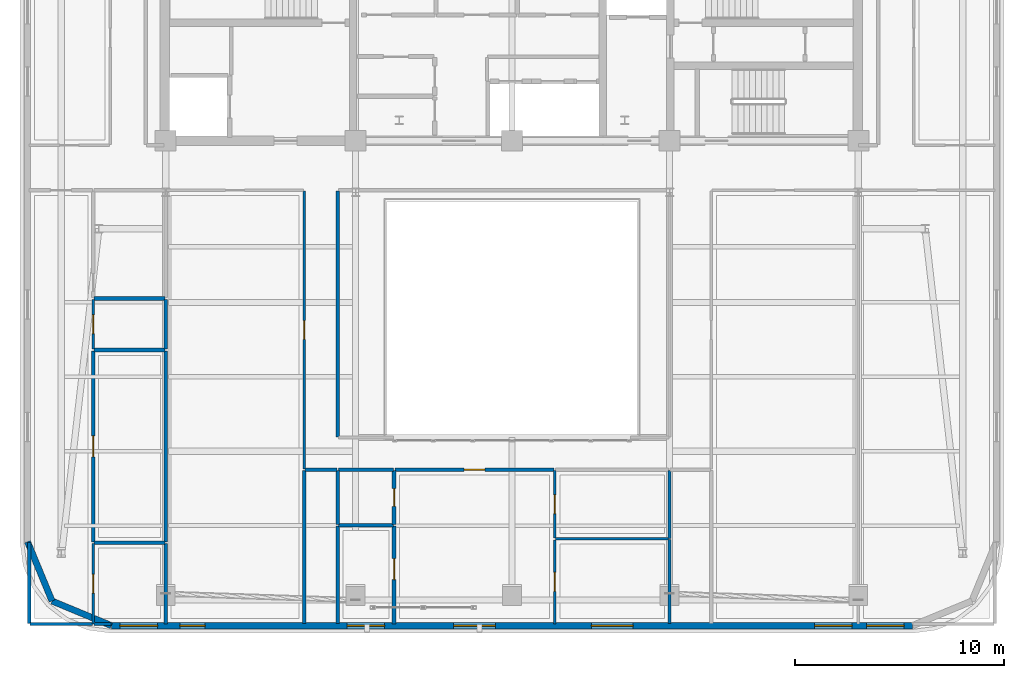
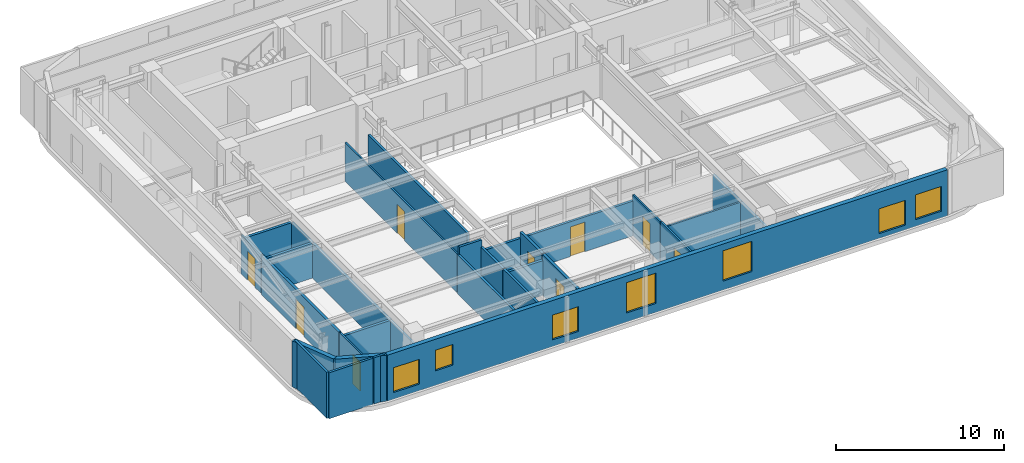
# One storey, part 6 of 14: 31 walls, 9 doors, 7 windows, 16 openings.
"""IFC4 building model written with IfcOpenShell, lengths in metres."""

from ifc_helpers import new_model, si_unit, direction, frame, frame_2d, origin, place, context, subcontext, project, spatial, rectangle, extrude, material, layer, layer_set, type_object, element, fill, save


model = new_model("IFC4")

# Units and contexts
model_context = context("Model", 3, precision=1e-05, world=origin(), true_north=direction((0.0, 1.0)))
body_context = subcontext(model_context, "Body", "Model", "MODEL_VIEW")
ifc_project = project(units=[si_unit("LENGTHUNIT", "METRE"), si_unit("AREAUNIT", "SQUARE_METRE"), si_unit("VOLUMEUNIT", "CUBIC_METRE"), si_unit("PLANEANGLEUNIT", "RADIAN"), si_unit("MASSUNIT", "GRAM", prefix="KILO")], contexts=[model_context])

# Site, building, storey
site_placement = place(None, origin())
site = spatial("IfcSite", under=ifc_project, at=site_placement, CompositionType="ELEMENT")
building_placement = place(site_placement, origin())
building = spatial("IfcBuilding", under=site, at=building_placement, Name="Zarnavel Station Tower", CompositionType="ELEMENT")
storey_placement = place(building_placement, frame((0.0, 0.0, 222.0)))
storey = spatial("IfcBuildingStorey", under=building, at=storey_placement, Name="L60", CompositionType="ELEMENT", Elevation=222.0)

# Walls
ifc_material_1 = material(Name="Precast concrete C45/55 (Dark Basalt Finish)", Category="masonry")
ifc_layer_1 = layer(ifc_material_1, 0.300048828125)
ifc_layer_set_1 = layer_set([ifc_layer_1], Name="EW_BASALT_300")
wall_type_1 = type_object("IfcWallType", Name="EW_BASALT_300", PredefinedType="SOLIDWALL", material=ifc_layer_set_1)
for number, where, z_axis, x_axis, name in (
    (1, (6.75732421875, 5.75732421875, 0.0), (0.0, 0.0, 1.0), (-0.382608747773, 0.923910464346, 0.0), "L60 Exterior Basalt Masonry Frame Wall 10"),
    (2, (9.60009765625, 4.580078125, 0.0), (0.0, 0.0, 1.0), (-0.923910464346, 0.382608747773, 0.0), "L60 Exterior Basalt Masonry Frame Wall 11"),
):
    element("IfcWall", number, at=place(storey_placement, frame(where, z_axis=z_axis, x_axis=x_axis)), inside=storey, type_object=wall_type_1, Name=name, PredefinedType="SOLIDWALL", context=body_context, shape_type="SweptSolid", body=[
        extrude(rectangle(XDim=3.076904296875, YDim=0.300048828125, at=frame_2d((1.53857421875, 0.0))), origin(), (0.0, 0.0, 1.0), 3.340087890625),
    ])

# Wall, openings, windows
wall_1_placement = place(storey_placement, frame((48.0, 4.580078125, 0.0), z_axis=(0.0, 0.0, 1.0), x_axis=(-1.0, 0.0, 0.0)))
wall_1 = element("IfcWall", 3, at=wall_1_placement, inside=storey, type_object=wall_type_1, Name="L60 Exterior Basalt Masonry Frame Wall 12", PredefinedType="SOLIDWALL", context=body_context, shape_type="SweptSolid", body=[
    extrude(rectangle(XDim=38.39990234375, YDim=0.300048828125, at=frame_2d((19.199951171875, 0.0))), origin(), (0.0, 0.0, 1.0), 3.340087890625),
])
opening_1_placement = place(wall_1_placement, frame((36.18994140625, 0.0, 0.47998046875)))
opening_1 = element("IfcOpeningElement", 4, at=opening_1_placement, cuts=wall_1, Name="Opening WN02", PredefinedType="OPENING", context=body_context, shape_type="SweptSolid", body=[
    extrude(rectangle(XDim=1.800048828125, YDim=1.800048828125, at=frame_2d((0.89990234375, 0.89990234375))), frame((0.0, 0.159912109375, 0.0), z_axis=(0.0, -1.0, 0.0), x_axis=(1.0, 0.0, 0.0)), (0.0, 0.0, 1.0), 0.320068359375),
])
opening_2_placement = place(wall_1_placement, frame((33.912109375, 0.0, 1.050048828125)))
opening_2 = element("IfcOpeningElement", 5, at=opening_2_placement, cuts=wall_1, Name="Opening WN08", PredefinedType="OPENING", context=body_context, shape_type="SweptSolid", body=[
    extrude(rectangle(XDim=1.199951171875, YDim=1.5, at=frame_2d((0.60009765625, 0.75))), frame((0.0, 0.159912109375, 0.0), z_axis=(0.0, -1.0, 0.0), x_axis=(1.0, 0.0, 0.0)), (0.0, 0.0, 1.0), 0.320068359375),
])
opening_3_placement = place(wall_1_placement, frame((20.0, 0.0, 0.64990234375)))
opening_3 = element("IfcOpeningElement", 6, at=opening_3_placement, cuts=wall_1, Name="Opening WN07", PredefinedType="OPENING", context=body_context, shape_type="SweptSolid", body=[
    extrude(rectangle(XDim=2.0, YDim=2.199951171875, at=frame_2d((1.0, 1.10009765625))), frame((0.0, 0.159912109375, 0.0), z_axis=(0.0, -1.0, 0.0), x_axis=(1.0, 0.0, 0.0)), (0.0, 0.0, 1.0), 0.320068359375),
])
opening_4_placement = place(wall_1_placement, frame((25.300048828125, 0.0, 0.47998046875)))
opening_4 = element("IfcOpeningElement", 7, at=opening_4_placement, cuts=wall_1, Name="Opening WN02", PredefinedType="OPENING", context=body_context, shape_type="SweptSolid", body=[
    extrude(rectangle(XDim=1.800048828125, YDim=1.800048828125, at=frame_2d((0.89990234375, 0.89990234375))), frame((0.0, 0.159912109375, 0.0), z_axis=(0.0, -1.0, 0.0), x_axis=(1.0, 0.0, 0.0)), (0.0, 0.0, 1.0), 0.320068359375),
])
opening_5_placement = place(wall_1_placement, frame((13.39990234375, 0.0, 0.64990234375)))
opening_5 = element("IfcOpeningElement", 8, at=opening_5_placement, cuts=wall_1, Name="Opening WN07", PredefinedType="OPENING", context=body_context, shape_type="SweptSolid", body=[
    extrude(rectangle(XDim=2.0, YDim=2.199951171875, at=frame_2d((1.0, 1.10009765625))), frame((0.0, 0.159912109375, 0.0), z_axis=(0.0, -1.0, 0.0), x_axis=(1.0, 0.0, 0.0)), (0.0, 0.0, 1.0), 0.320068359375),
])
opening_6_placement = place(wall_1_placement, frame((2.89990234375, 0.0, 0.340087890625)))
opening_6 = element("IfcOpeningElement", 9, at=opening_6_placement, cuts=wall_1, Name="Opening WN02", PredefinedType="OPENING", context=body_context, shape_type="SweptSolid", body=[
    extrude(rectangle(XDim=1.800048828125, YDim=1.800048828125, at=frame_2d((0.89990234375, 0.89990234375))), frame((0.0, 0.159912109375, 0.0), z_axis=(0.0, -1.0, 0.0), x_axis=(1.0, 0.0, 0.0)), (0.0, 0.0, 1.0), 0.320068359375),
])
opening_7_placement = place(wall_1_placement, frame((0.409912109375, 0.0, 0.47998046875)))
opening_7 = element("IfcOpeningElement", 10, at=opening_7_placement, cuts=wall_1, Name="Opening WN02", PredefinedType="OPENING", context=body_context, shape_type="SweptSolid", body=[
    extrude(rectangle(XDim=1.800048828125, YDim=1.800048828125, at=frame_2d((0.89990234375, 0.89990234375))), frame((0.0, 0.159912109375, 0.0), z_axis=(0.0, -1.0, 0.0), x_axis=(1.0, 0.0, 0.0)), (0.0, 0.0, 1.0), 0.320068359375),
])
ifc_material_2 = material(Name="Thermally Broken Black Aluminium and Low-E Dark Glass", Category="aluminium")
window_type_1 = type_object("IfcWindowType", Name="WN_1200x1500", PartitioningType="SINGLE_PANEL", PredefinedType="WINDOW", material=ifc_material_2)
window_1_placement = place(opening_2_placement, origin())
window_1 = element("IfcWindow", 11, at=window_1_placement, inside=storey, type_object=window_type_1, Name="L60 Recessed Facade Window 02", OverallHeight=1.5, OverallWidth=1.199951171875, PartitioningType="SINGLE_PANEL", PredefinedType="WINDOW", context=body_context, shape_type="SweptSolid", body=[
    extrude(rectangle(XDim=1.199951171875, YDim=1.5, at=frame_2d((0.60009765625, 0.75))), frame((0.0, 0.030029296875, 0.0), z_axis=(0.0, -1.0, 0.0), x_axis=(1.0, 0.0, 0.0)), (0.0, 0.0, 1.0), 0.06005859375),
])
fill(opening_2, window_1)
ifc_material_3 = material(Name="Thermally Broken Black Aluminium and Low-E Dark Glass", Category="aluminium")
window_type_2 = type_object("IfcWindowType", Name="WN_1800x1800", PartitioningType="DOUBLE_PANEL_VERTICAL", PredefinedType="WINDOW", material=ifc_material_3)
window_2_placement = place(opening_1_placement, origin())
window_2 = element("IfcWindow", 12, at=window_2_placement, inside=storey, type_object=window_type_2, Name="L60 Recessed Facade Window 01", OverallHeight=1.800048828125, OverallWidth=1.800048828125, PartitioningType="SINGLE_PANEL", PredefinedType="WINDOW", context=body_context, shape_type="SweptSolid", body=[
    extrude(rectangle(XDim=1.800048828125, YDim=1.800048828125, at=frame_2d((0.89990234375, 0.89990234375))), frame((0.0, 0.030029296875, 0.0), z_axis=(0.0, -1.0, 0.0), x_axis=(1.0, 0.0, 0.0)), (0.0, 0.0, 1.0), 0.06005859375),
])
fill(opening_1, window_2)
window_3_placement = place(opening_4_placement, origin())
window_3 = element("IfcWindow", 13, at=window_3_placement, inside=storey, type_object=window_type_2, Name="L60 Recessed Facade Window 04", OverallHeight=1.800048828125, OverallWidth=1.800048828125, PartitioningType="SINGLE_PANEL", PredefinedType="WINDOW", context=body_context, shape_type="SweptSolid", body=[
    extrude(rectangle(XDim=1.800048828125, YDim=1.800048828125, at=frame_2d((0.89990234375, 0.89990234375))), frame((0.0, 0.030029296875, 0.0), z_axis=(0.0, -1.0, 0.0), x_axis=(1.0, 0.0, 0.0)), (0.0, 0.0, 1.0), 0.06005859375),
])
fill(opening_4, window_3)
window_4_placement = place(opening_6_placement, origin())
window_4 = element("IfcWindow", 14, at=window_4_placement, inside=storey, type_object=window_type_2, Name="L60 Recessed Facade Window 06", OverallHeight=1.800048828125, OverallWidth=1.800048828125, PartitioningType="SINGLE_PANEL", PredefinedType="WINDOW", context=body_context, shape_type="SweptSolid", body=[
    extrude(rectangle(XDim=1.800048828125, YDim=1.800048828125, at=frame_2d((0.89990234375, 0.89990234375))), frame((0.0, 0.030029296875, 0.0), z_axis=(0.0, -1.0, 0.0), x_axis=(1.0, 0.0, 0.0)), (0.0, 0.0, 1.0), 0.06005859375),
])
fill(opening_6, window_4)
window_5_placement = place(opening_7_placement, origin())
window_5 = element("IfcWindow", 15, at=window_5_placement, inside=storey, type_object=window_type_2, Name="L60 Recessed Facade Window 07", OverallHeight=1.800048828125, OverallWidth=1.800048828125, PartitioningType="SINGLE_PANEL", PredefinedType="WINDOW", context=body_context, shape_type="SweptSolid", body=[
    extrude(rectangle(XDim=1.800048828125, YDim=1.800048828125, at=frame_2d((0.89990234375, 0.89990234375))), frame((0.0, 0.030029296875, 0.0), z_axis=(0.0, -1.0, 0.0), x_axis=(1.0, 0.0, 0.0)), (0.0, 0.0, 1.0), 0.06005859375),
])
fill(opening_7, window_5)
ifc_material_4 = material(Name="Thermally Broken Black Aluminium and Low-E Dark Glass", Category="aluminium")
window_type_3 = type_object("IfcWindowType", Name="WN_2000x2200", PartitioningType="TRIPLE_PANEL_VERTICAL", PredefinedType="WINDOW", material=ifc_material_4)
window_6_placement = place(opening_3_placement, origin())
window_6 = element("IfcWindow", 16, at=window_6_placement, inside=storey, type_object=window_type_3, Name="L60 Recessed Facade Window 03", OverallHeight=2.199951171875, OverallWidth=2.0, PartitioningType="SINGLE_PANEL", PredefinedType="WINDOW", context=body_context, shape_type="SweptSolid", body=[
    extrude(rectangle(XDim=2.0, YDim=2.199951171875, at=frame_2d((1.0, 1.10009765625))), frame((0.0, 0.030029296875, 0.0), z_axis=(0.0, -1.0, 0.0), x_axis=(1.0, 0.0, 0.0)), (0.0, 0.0, 1.0), 0.06005859375),
])
fill(opening_3, window_6)
window_7_placement = place(opening_5_placement, origin())
window_7 = element("IfcWindow", 17, at=window_7_placement, inside=storey, type_object=window_type_3, Name="L60 Recessed Facade Window 05", OverallHeight=2.199951171875, OverallWidth=2.0, PartitioningType="SINGLE_PANEL", PredefinedType="WINDOW", context=body_context, shape_type="SweptSolid", body=[
    extrude(rectangle(XDim=2.0, YDim=2.199951171875, at=frame_2d((1.0, 1.10009765625))), frame((0.0, 0.030029296875, 0.0), z_axis=(0.0, -1.0, 0.0), x_axis=(1.0, 0.0, 0.0)), (0.0, 0.0, 1.0), 0.06005859375),
])
fill(opening_5, window_7)

# Wall, opening, door
ifc_material_5 = material(Name="Gypsum Twin-Stud Acoustic Fire Partition", Category="concrete")
ifc_layer_2 = layer(ifc_material_5, 0.159912109375)
ifc_layer_set_2 = layer_set([ifc_layer_2], Name="PT_DEMISE_160")
wall_type_2 = type_object("IfcWallType", Name="PT_DEMISE_160", PredefinedType="PARTITIONING", material=ifc_layer_set_2)
wall_2_placement = place(storey_placement, frame((23.18994140625, 12.050048828125, 0.0), z_axis=(0.0, 0.0, 1.0), x_axis=(1.0, 0.0, 0.0)))
wall_2 = element("IfcWall", 18, at=wall_2_placement, inside=storey, type_object=wall_type_2, Name="L60 Partition COR-AS-US1LV", PredefinedType="PARTITIONING", context=body_context, shape_type="SweptSolid", body=[
    extrude(rectangle(XDim=7.6201171875, YDim=0.159912109375, at=frame_2d((3.81005859375, 0.0))), origin(), (0.0, 0.0, 1.0), 2.52001953125),
])
opening_8_placement = place(wall_2_placement, frame((3.31005859375, 0.0, 0.0)))
opening_8 = element("IfcOpeningElement", 19, at=opening_8_placement, cuts=wall_2, Name="Opening FD02", PredefinedType="OPENING", context=body_context, shape_type="SweptSolid", body=[
    extrude(rectangle(XDim=1.0, YDim=2.14990234375, at=frame_2d((0.5, 1.074951171875))), frame((0.0, 0.08984375, 0.0), z_axis=(0.0, -1.0, 0.0), x_axis=(1.0, 0.0, 0.0)), (0.0, 0.0, 1.0), 0.179931640625),
])
ifc_material_6 = material(Name="Painted Galvanised Steel and Hardwood Leaf", Category="steel")
door_type_1 = type_object("IfcDoorType", Name="ID_ENTRY_1000", OperationType="NOTDEFINED", PredefinedType="DOOR", material=ifc_material_6)
door_1_placement = place(opening_8_placement, origin())
door_1 = element("IfcDoor", 20, at=door_1_placement, inside=storey, type_object=door_type_1, Name="L60 Door COR-AS-US1LV", OperationType="SINGLE_SWING_RIGHT", OverallHeight=2.14990234375, OverallWidth=1.0, PredefinedType="DOOR", context=body_context, shape_type="SweptSolid", body=[
    extrude(rectangle(XDim=1.0, YDim=2.14990234375, at=frame_2d((0.5, 1.074951171875))), frame((0.0, 0.02490234375, 0.0), z_axis=(0.0, -1.0, 0.0), x_axis=(1.0, 0.0, 0.0)), (0.0, 0.0, 1.0), 0.050048828125),
])
fill(opening_8, door_1)

# Walls
wall_3_placement = place(storey_placement, frame((12.199951171875, 4.659912109375, 0.0), z_axis=(0.0, 0.0, 1.0), x_axis=(0.0, 1.0, 0.0)))
element("IfcWall", 21, at=wall_3_placement, inside=storey, type_object=wall_type_2, Name="L60 Partition UW1B1-L59LIB", PredefinedType="PARTITIONING", context=body_context, shape_type="SweptSolid", body=[
    extrude(rectangle(XDim=3.85498046875, YDim=0.159912109375, at=frame_2d((1.927490234375, 0.0))), origin(), (0.0, 0.0, 1.0), 2.52001953125),
])
wall_4_placement = place(storey_placement, frame((12.199951171875, 17.827880859375, 0.0), z_axis=(0.0, 0.0, 1.0), x_axis=(0.0, 1.0, 0.0)))
element("IfcWall", 22, at=wall_4_placement, inside=storey, type_object=wall_type_2, Name="L60 Partition UW1UT-L59LIB", PredefinedType="PARTITIONING", context=body_context, shape_type="SweptSolid", body=[
    extrude(rectangle(XDim=2.38916015625, YDim=0.159912109375, at=frame_2d((1.194580078125, 0.0))), origin(), (0.0, 0.0, 1.0), 2.52001953125),
])
wall_5_placement = place(storey_placement, frame((18.8798828125, 12.050048828125, 0.0), z_axis=(0.0, 0.0, 1.0), x_axis=(1.0, 0.0, 0.0)))
element("IfcWall", 23, at=wall_5_placement, inside=storey, type_object=wall_type_2, Name="L60 Enclosure Wall COR-AW", PredefinedType="PARTITIONING", context=body_context, shape_type="SweptSolid", body=[
    extrude(rectangle(XDim=1.5400390625, YDim=0.159912109375, at=frame_2d((0.77001953125, 0.0))), origin(), (0.0, 0.0, 1.0), 3.340087890625),
])
wall_6_placement = place(storey_placement, frame((20.449951171875, 13.6298828125, 0.0), z_axis=(0.0, 0.0, 1.0), x_axis=(0.0, 1.0, 0.0)))
element("IfcWall", 24, at=wall_6_placement, inside=storey, type_object=wall_type_2, Name="L60 Enclosure Wall COR-AW", PredefinedType="PARTITIONING", context=body_context, shape_type="SweptSolid", body=[
    extrude(rectangle(XDim=11.7900390625, YDim=0.159912109375, at=frame_2d((5.89501953125, 0.0))), origin(), (0.0, 0.0, 1.0), 2.820068359375),
])
wall_7_placement = place(storey_placement, frame((5.68994140625, 4.659912109375, 0.0), z_axis=(0.0, 0.0, 1.0), x_axis=(1.0, 0.0, 0.0)))
element("IfcWall", 25, at=wall_7_placement, inside=storey, type_object=wall_type_2, Name="L60 Enclosure Wall UW1LV", PredefinedType="PARTITIONING", context=body_context, shape_type="SweptSolid", body=[
    extrude(rectangle(XDim=3.01416015625, YDim=0.159912109375, at=frame_2d((1.507080078125, 0.0))), origin(), (0.0, 0.0, 1.0), 3.340087890625),
])
wall_8_placement = place(storey_placement, frame((5.659912109375, 4.68994140625, 0.0), z_axis=(0.0, 0.0, 1.0), x_axis=(0.0, 1.0, 0.0)))
element("IfcWall", 26, at=wall_8_placement, inside=storey, type_object=wall_type_2, Name="L60 Enclosure Wall UW1LV", PredefinedType="PARTITIONING", context=body_context, shape_type="SweptSolid", body=[
    extrude(rectangle(XDim=3.880126953125, YDim=0.159912109375, at=frame_2d((1.93994140625, 0.0))), origin(), (0.0, 0.0, 1.0), 3.340087890625),
])
wall_9_placement = place(storey_placement, frame((8.763916015625, 4.659912109375, 0.0), z_axis=(0.0, 0.0, 1.0), x_axis=(1.0, 0.0, 0.0)))
element("IfcWall", 27, at=wall_9_placement, inside=storey, type_object=wall_type_2, Name="L60 Enclosure Wall UW1B1", PredefinedType="PARTITIONING", context=body_context, shape_type="SweptSolid", body=[
    extrude(rectangle(XDim=0.80615234375, YDim=0.159912109375, at=frame_2d((0.403076171875, 0.0))), origin(), (0.0, 0.0, 1.0), 3.340087890625),
])
wall_10_placement = place(storey_placement, frame((18.85009765625, 4.68994140625, 0.0), z_axis=(0.0, 0.0, 1.0), x_axis=(0.0, 1.0, 0.0)))
element("IfcWall", 28, at=wall_10_placement, inside=storey, type_object=wall_type_2, Name="L60 Enclosure Wall L59LIB", PredefinedType="PARTITIONING", context=body_context, shape_type="SweptSolid", body=[
    extrude(rectangle(XDim=7.330078125, YDim=0.159912109375, at=frame_2d((3.6650390625, 0.0))), origin(), (0.0, 0.0, 1.0), 2.820068359375),
])
wall_11_placement = place(storey_placement, frame((20.449951171875, 4.68994140625, 0.0), z_axis=(0.0, 0.0, 1.0), x_axis=(0.0, 1.0, 0.0)))
element("IfcWall", 29, at=wall_11_placement, inside=storey, type_object=wall_type_2, Name="L60 Enclosure Wall US1KT", PredefinedType="PARTITIONING", context=body_context, shape_type="SweptSolid", body=[
    extrude(rectangle(XDim=4.670166015625, YDim=0.159912109375, at=frame_2d((2.3349609375, 0.0))), origin(), (0.0, 0.0, 1.0), 2.820068359375),
])
wall_12_placement = place(storey_placement, frame((20.449951171875, 9.419921875, 0.0), z_axis=(0.0, 0.0, 1.0), x_axis=(0.0, 1.0, 0.0)))
element("IfcWall", 30, at=wall_12_placement, inside=storey, type_object=wall_type_2, Name="L60 Enclosure Wall US1BA", PredefinedType="PARTITIONING", context=body_context, shape_type="SweptSolid", body=[
    extrude(rectangle(XDim=2.60009765625, YDim=0.159912109375, at=frame_2d((1.300048828125, 0.0))), origin(), (0.0, 0.0, 1.0), 2.820068359375),
])
wall_13_placement = place(storey_placement, frame((36.35009765625, 4.68994140625, 0.0), z_axis=(0.0, 0.0, 1.0), x_axis=(0.0, 1.0, 0.0)))
element("IfcWall", 31, at=wall_13_placement, inside=storey, type_object=wall_type_2, Name="L60 Enclosure Wall US1B1", PredefinedType="PARTITIONING", context=body_context, shape_type="SweptSolid", body=[
    extrude(rectangle(XDim=4.01513671875, YDim=0.159912109375, at=frame_2d((2.007568359375, 0.0))), origin(), (0.0, 0.0, 1.0), 2.52001953125),
])
wall_14_placement = place(storey_placement, frame((36.35009765625, 8.764892578125, 0.0), z_axis=(0.0, 0.0, 1.0), x_axis=(0.0, 1.0, 0.0)))
element("IfcWall", 32, at=wall_14_placement, inside=storey, type_object=wall_type_2, Name="L60 Enclosure Wall US1B2", PredefinedType="PARTITIONING", context=body_context, shape_type="SweptSolid", body=[
    extrude(rectangle(XDim=3.255126953125, YDim=0.159912109375, at=frame_2d((1.62744140625, 0.0))), origin(), (0.0, 0.0, 1.0), 2.52001953125),
])

# Wall, opening, door
ifc_material_7 = material(Name="Gypsum Metal-Stud Interior Partition", Category="concrete")
ifc_layer_3 = layer(ifc_material_7, 0.1201171875)
ifc_layer_set_3 = layer_set([ifc_layer_3], Name="PT_ROOM_120")
wall_type_3 = type_object("IfcWallType", Name="PT_ROOM_120", PredefinedType="PARTITIONING", material=ifc_layer_set_3)
wall_15_placement = place(storey_placement, frame((18.85009765625, 12.090087890625, 0.0), z_axis=(0.0, 0.0, 1.0), x_axis=(0.0, 1.0, 0.0)))
wall_15 = element("IfcWall", 33, at=wall_15_placement, inside=storey, type_object=wall_type_3, Name="L60 Partition COR-AW-L59LIB", PredefinedType="PARTITIONING", context=body_context, shape_type="SweptSolid", body=[
    extrude(rectangle(XDim=13.31982421875, YDim=0.1201171875, at=frame_2d((6.659912109375, 0.0))), origin(), (0.0, 0.0, 1.0), 2.820068359375),
])
opening_9_placement = place(wall_15_placement, frame((6.2099609375, 0.0, 0.0)))
opening_9 = element("IfcOpeningElement", 34, at=opening_9_placement, cuts=wall_15, Name="Opening ID01", PredefinedType="OPENING", context=body_context, shape_type="SweptSolid", body=[
    extrude(rectangle(XDim=0.89990234375, YDim=2.10009765625, at=frame_2d((0.449951171875, 1.050048828125))), frame((0.0, 0.070068359375, 0.0), z_axis=(0.0, -1.0, 0.0), x_axis=(1.0, 0.0, 0.0)), (0.0, 0.0, 1.0), 0.14013671875),
])
ifc_material_8 = material(Name="Painted Galvanised Steel and Hardwood Leaf", Category="steel")
door_type_2 = type_object("IfcDoorType", Name="ID_ROOM_900", OperationType="NOTDEFINED", PredefinedType="DOOR", material=ifc_material_8)
door_2_placement = place(opening_9_placement, origin())
door_2 = element("IfcDoor", 35, at=door_2_placement, inside=storey, type_object=door_type_2, Name="L60 Door COR-AW-L59LIB", OperationType="SINGLE_SWING_RIGHT", OverallHeight=2.10009765625, OverallWidth=0.89990234375, PredefinedType="DOOR", context=body_context, shape_type="SweptSolid", body=[
    extrude(rectangle(XDim=0.89990234375, YDim=2.10009765625, at=frame_2d((0.449951171875, 1.050048828125))), frame((0.0, 0.02490234375, 0.0), z_axis=(0.0, -1.0, 0.0), x_axis=(1.0, 0.0, 0.0)), (0.0, 0.0, 1.0), 0.050048828125),
])
fill(opening_9, door_2)

wall_16_placement = place(storey_placement, frame((8.73388671875, 4.659912109375, 0.0), z_axis=(0.0, 0.0, 1.0), x_axis=(0.0, 1.0, 0.0)))
wall_16 = element("IfcWall", 36, at=wall_16_placement, inside=storey, type_object=wall_type_3, Name="L60 Partition UW1LV-UW1B1", PredefinedType="PARTITIONING", context=body_context, shape_type="SweptSolid", body=[
    extrude(rectangle(XDim=3.85498046875, YDim=0.1201171875, at=frame_2d((1.927490234375, 0.0))), origin(), (0.0, 0.0, 1.0), 2.820068359375),
])
opening_10_placement = place(wall_16_placement, frame((1.4775390625, 0.0, 0.0)))
opening_10 = element("IfcOpeningElement", 37, at=opening_10_placement, cuts=wall_16, Name="Opening ID01", PredefinedType="OPENING", context=body_context, shape_type="SweptSolid", body=[
    extrude(rectangle(XDim=0.89990234375, YDim=2.10009765625, at=frame_2d((0.449951171875, 1.050048828125))), frame((0.0, 0.070068359375, 0.0), z_axis=(0.0, -1.0, 0.0), x_axis=(1.0, 0.0, 0.0)), (0.0, 0.0, 1.0), 0.14013671875),
])
door_3_placement = place(opening_10_placement, origin())
door_3 = element("IfcDoor", 38, at=door_3_placement, inside=storey, type_object=door_type_2, Name="L60 Door UW1LV-UW1B1", OperationType="SINGLE_SWING_RIGHT", OverallHeight=2.10009765625, OverallWidth=0.89990234375, PredefinedType="DOOR", context=body_context, shape_type="SweptSolid", body=[
    extrude(rectangle(XDim=0.89990234375, YDim=2.10009765625, at=frame_2d((0.449951171875, 1.050048828125))), frame((0.0, 0.02490234375, 0.0), z_axis=(0.0, -1.0, 0.0), x_axis=(1.0, 0.0, 0.0)), (0.0, 0.0, 1.0), 0.050048828125),
])
fill(opening_10, door_3)

wall_17_placement = place(storey_placement, frame((8.73388671875, 17.827880859375, 0.0), z_axis=(0.0, 0.0, 1.0), x_axis=(0.0, 1.0, 0.0)))
wall_17 = element("IfcWall", 39, at=wall_17_placement, inside=storey, type_object=wall_type_3, Name="L60 Partition UW1LV-UW1UT", PredefinedType="PARTITIONING", context=body_context, shape_type="SweptSolid", body=[
    extrude(rectangle(XDim=2.38916015625, YDim=0.1201171875, at=frame_2d((1.194580078125, 0.0))), origin(), (0.0, 0.0, 1.0), 2.820068359375),
])
opening_11_placement = place(wall_17_placement, frame((0.744384765625, 0.0, 0.0)))
opening_11 = element("IfcOpeningElement", 40, at=opening_11_placement, cuts=wall_17, Name="Opening ID01", PredefinedType="OPENING", context=body_context, shape_type="SweptSolid", body=[
    extrude(rectangle(XDim=0.89990234375, YDim=2.10009765625, at=frame_2d((0.449951171875, 1.050048828125))), frame((0.0, 0.070068359375, 0.0), z_axis=(0.0, -1.0, 0.0), x_axis=(1.0, 0.0, 0.0)), (0.0, 0.0, 1.0), 0.14013671875),
])
door_4_placement = place(opening_11_placement, origin())
door_4 = element("IfcDoor", 41, at=door_4_placement, inside=storey, type_object=door_type_2, Name="L60 Door UW1LV-UW1UT", OperationType="SINGLE_SWING_RIGHT", OverallHeight=2.10009765625, OverallWidth=0.89990234375, PredefinedType="DOOR", context=body_context, shape_type="SweptSolid", body=[
    extrude(rectangle(XDim=0.89990234375, YDim=2.10009765625, at=frame_2d((0.449951171875, 1.050048828125))), frame((0.0, 0.02490234375, 0.0), z_axis=(0.0, -1.0, 0.0), x_axis=(1.0, 0.0, 0.0)), (0.0, 0.0, 1.0), 0.050048828125),
])
fill(opening_11, door_4)

wall_18_placement = place(storey_placement, frame((30.85009765625, 4.659912109375, 0.0), z_axis=(0.0, 0.0, 1.0), x_axis=(0.0, 1.0, 0.0)))
wall_18 = element("IfcWall", 42, at=wall_18_placement, inside=storey, type_object=wall_type_3, Name="L60 Partition US1LV-US1B1", PredefinedType="PARTITIONING", context=body_context, shape_type="SweptSolid", body=[
    extrude(rectangle(XDim=4.03515625, YDim=0.1201171875, at=frame_2d((2.017578125, 0.0))), origin(), (0.0, 0.0, 1.0), 3.0),
])
opening_12_placement = place(wall_18_placement, frame((1.5673828125, 0.0, 0.0)))
opening_12 = element("IfcOpeningElement", 43, at=opening_12_placement, cuts=wall_18, Name="Opening ID01", PredefinedType="OPENING", context=body_context, shape_type="SweptSolid", body=[
    extrude(rectangle(XDim=0.89990234375, YDim=2.10009765625, at=frame_2d((0.449951171875, 1.050048828125))), frame((0.0, 0.070068359375, 0.0), z_axis=(0.0, -1.0, 0.0), x_axis=(1.0, 0.0, 0.0)), (0.0, 0.0, 1.0), 0.14013671875),
])
door_5_placement = place(opening_12_placement, origin())
door_5 = element("IfcDoor", 44, at=door_5_placement, inside=storey, type_object=door_type_2, Name="L60 Door US1LV-US1B1", OperationType="SINGLE_SWING_RIGHT", OverallHeight=2.10009765625, OverallWidth=0.89990234375, PredefinedType="DOOR", context=body_context, shape_type="SweptSolid", body=[
    extrude(rectangle(XDim=0.89990234375, YDim=2.10009765625, at=frame_2d((0.449951171875, 1.050048828125))), frame((0.0, 0.02490234375, 0.0), z_axis=(0.0, -1.0, 0.0), x_axis=(1.0, 0.0, 0.0)), (0.0, 0.0, 1.0), 0.050048828125),
])
fill(opening_12, door_5)

wall_19_placement = place(storey_placement, frame((30.85009765625, 8.77490234375, 0.0), z_axis=(0.0, 0.0, 1.0), x_axis=(0.0, 1.0, 0.0)))
wall_19 = element("IfcWall", 45, at=wall_19_placement, inside=storey, type_object=wall_type_3, Name="L60 Partition US1LV-US1B2", PredefinedType="PARTITIONING", context=body_context, shape_type="SweptSolid", body=[
    extrude(rectangle(XDim=3.235107421875, YDim=0.1201171875, at=frame_2d((1.61767578125, 0.0))), origin(), (0.0, 0.0, 1.0), 2.9599609375),
])
opening_13_placement = place(wall_19_placement, frame((1.16748046875, 0.0, 0.0)))
opening_13 = element("IfcOpeningElement", 46, at=opening_13_placement, cuts=wall_19, Name="Opening ID01", PredefinedType="OPENING", context=body_context, shape_type="SweptSolid", body=[
    extrude(rectangle(XDim=0.89990234375, YDim=2.10009765625, at=frame_2d((0.449951171875, 1.050048828125))), frame((0.0, 0.070068359375, 0.0), z_axis=(0.0, -1.0, 0.0), x_axis=(1.0, 0.0, 0.0)), (0.0, 0.0, 1.0), 0.14013671875),
])
door_6_placement = place(opening_13_placement, origin())
door_6 = element("IfcDoor", 47, at=door_6_placement, inside=storey, type_object=door_type_2, Name="L60 Door US1LV-US1B2", OperationType="SINGLE_SWING_LEFT", OverallHeight=2.10009765625, OverallWidth=0.89990234375, PredefinedType="DOOR", context=body_context, shape_type="SweptSolid", body=[
    extrude(rectangle(XDim=0.89990234375, YDim=2.10009765625, at=frame_2d((0.449951171875, 1.050048828125))), frame((0.0, 0.02490234375, 0.0), z_axis=(0.0, -1.0, 0.0), x_axis=(1.0, 0.0, 0.0)), (0.0, 0.0, 1.0), 0.050048828125),
])
fill(opening_13, door_6)

# Walls
wall_20_placement = place(storey_placement, frame((30.889892578125, 8.735107421875, 0.0), z_axis=(0.0, 0.0, 1.0), x_axis=(1.0, 0.0, 0.0)))
element("IfcWall", 48, at=wall_20_placement, inside=storey, type_object=wall_type_3, Name="L60 Partition US1B1-US1B2", PredefinedType="PARTITIONING", context=body_context, shape_type="SweptSolid", body=[
    extrude(rectangle(XDim=5.420166015625, YDim=0.1201171875, at=frame_2d((2.7099609375, 0.0))), origin(), (0.0, 0.0, 1.0), 2.52001953125),
])
ifc_material_9 = material(Name="Moisture-Resistant Plumbing Chase Wall", Category="concrete")
ifc_layer_4 = layer(ifc_material_9, 0.179931640625)
ifc_layer_set_4 = layer_set([ifc_layer_4], Name="PW_PLUMB_180")
wall_type_4 = type_object("IfcWallType", Name="PW_PLUMB_180", PredefinedType="PLUMBINGWALL", material=ifc_layer_set_4)
wall_21_placement = place(storey_placement, frame((20.489990234375, 12.050048828125, 0.0), z_axis=(0.0, 0.0, 1.0), x_axis=(1.0, 0.0, 0.0)))
element("IfcWall", 49, at=wall_21_placement, inside=storey, type_object=wall_type_4, Name="L60 Partition COR-AS-US1BA", PredefinedType="PLUMBINGWALL", context=body_context, shape_type="SweptSolid", body=[
    extrude(rectangle(XDim=2.6201171875, YDim=0.179931640625, at=frame_2d((1.31005859375, 0.0))), origin(), (0.0, 0.0, 1.0), 2.52001953125),
])

# Wall, opening, door
wall_22_placement = place(storey_placement, frame((8.73388671875, 8.594970703125, 0.0), z_axis=(0.0, 0.0, 1.0), x_axis=(0.0, 1.0, 0.0)))
wall_22 = element("IfcWall", 50, at=wall_22_placement, inside=storey, type_object=wall_type_4, Name="L60 Partition UW1LV-UW1KT", PredefinedType="PLUMBINGWALL", context=body_context, shape_type="SweptSolid", body=[
    extrude(rectangle(XDim=9.153076171875, YDim=0.179931640625, at=frame_2d((4.57666015625, 0.0))), origin(), (0.0, 0.0, 1.0), 2.820068359375),
])
opening_14_placement = place(wall_22_placement, frame((4.076416015625, 0.0, 0.0)))
opening_14 = element("IfcOpeningElement", 51, at=opening_14_placement, cuts=wall_22, Name="Opening FD02", PredefinedType="OPENING", context=body_context, shape_type="SweptSolid", body=[
    extrude(rectangle(XDim=1.0, YDim=2.14990234375, at=frame_2d((0.5, 1.074951171875))), frame((0.0, 0.099853515625, 0.0), z_axis=(0.0, -1.0, 0.0), x_axis=(1.0, 0.0, 0.0)), (0.0, 0.0, 1.0), 0.199951171875),
])
door_7_placement = place(opening_14_placement, origin())
door_7 = element("IfcDoor", 52, at=door_7_placement, inside=storey, type_object=door_type_1, Name="L60 Door UW1LV-UW1KT", OperationType="SINGLE_SWING_LEFT", OverallHeight=2.14990234375, OverallWidth=1.0, PredefinedType="DOOR", context=body_context, shape_type="SweptSolid", body=[
    extrude(rectangle(XDim=1.0, YDim=2.14990234375, at=frame_2d((0.5, 1.074951171875))), frame((0.0, 0.02490234375, 0.0), z_axis=(0.0, -1.0, 0.0), x_axis=(1.0, 0.0, 0.0)), (0.0, 0.0, 1.0), 0.050048828125),
])
fill(opening_14, door_7)

# Walls
for number, where, z_axis, x_axis, name in (
    (53, (8.77392578125, 8.554931640625, 0.0), (0.0, 0.0, 1.0), (1.0, 0.0, 0.0), "L60 Partition UW1B1-UW1KT"),
    (54, (8.77392578125, 17.7880859375, 0.0), (0.0, 0.0, 1.0), (1.0, 0.0, 0.0), "L60 Partition UW1KT-UW1UT"),
):
    element("IfcWall", number, at=place(storey_placement, frame(where, z_axis=z_axis, x_axis=x_axis)), inside=storey, type_object=wall_type_4, Name=name, PredefinedType="PLUMBINGWALL", context=body_context, shape_type="SweptSolid", body=[
        extrude(rectangle(XDim=3.385986328125, YDim=0.179931640625, at=frame_2d((1.69287109375, 0.0))), origin(), (0.0, 0.0, 1.0), 2.52001953125),
    ])
wall_23_placement = place(storey_placement, frame((12.199951171875, 8.594970703125, 0.0), z_axis=(0.0, 0.0, 1.0), x_axis=(0.0, 1.0, 0.0)))
element("IfcWall", 55, at=wall_23_placement, inside=storey, type_object=wall_type_4, Name="L60 Partition UW1KT-L59LIB", PredefinedType="PLUMBINGWALL", context=body_context, shape_type="SweptSolid", body=[
    extrude(rectangle(XDim=9.153076171875, YDim=0.179931640625, at=frame_2d((4.57666015625, 0.0))), origin(), (0.0, 0.0, 1.0), 2.52001953125),
])
wall_24_placement = place(storey_placement, frame((8.77392578125, 20.257080078125, 0.0), z_axis=(0.0, 0.0, 1.0), x_axis=(1.0, 0.0, 0.0)))
element("IfcWall", 56, at=wall_24_placement, inside=storey, type_object=wall_type_4, Name="L60 Partition UW1UT-UW1BA", PredefinedType="PLUMBINGWALL", context=body_context, shape_type="SweptSolid", body=[
    extrude(rectangle(XDim=3.385986328125, YDim=0.179931640625, at=frame_2d((1.69287109375, 0.0))), origin(), (0.0, 0.0, 1.0), 2.52001953125),
])

# Wall, opening, door
wall_25_placement = place(storey_placement, frame((23.14990234375, 4.659912109375, 0.0), z_axis=(0.0, 0.0, 1.0), x_axis=(0.0, 1.0, 0.0)))
wall_25 = element("IfcWall", 57, at=wall_25_placement, inside=storey, type_object=wall_type_4, Name="L60 Partition US1LV-US1KT", PredefinedType="PLUMBINGWALL", context=body_context, shape_type="SweptSolid", body=[
    extrude(rectangle(XDim=4.690185546875, YDim=0.179931640625, at=frame_2d((2.34521484375, 0.0))), origin(), (0.0, 0.0, 1.0), 2.9599609375),
])
opening_15_placement = place(wall_25_placement, frame((2.129150390625, 0.0, 0.0)))
opening_15 = element("IfcOpeningElement", 58, at=opening_15_placement, cuts=wall_25, Name="Opening FD02", PredefinedType="OPENING", context=body_context, shape_type="SweptSolid", body=[
    extrude(rectangle(XDim=1.0, YDim=2.14990234375, at=frame_2d((0.5, 1.074951171875))), frame((0.0, 0.099853515625, 0.0), z_axis=(0.0, -1.0, 0.0), x_axis=(1.0, 0.0, 0.0)), (0.0, 0.0, 1.0), 0.199951171875),
])
door_8_placement = place(opening_15_placement, origin())
door_8 = element("IfcDoor", 59, at=door_8_placement, inside=storey, type_object=door_type_1, Name="L60 Door US1LV-US1KT", OperationType="SINGLE_SWING_RIGHT", OverallHeight=2.14990234375, OverallWidth=1.0, PredefinedType="DOOR", context=body_context, shape_type="SweptSolid", body=[
    extrude(rectangle(XDim=1.0, YDim=2.14990234375, at=frame_2d((0.5, 1.074951171875))), frame((0.0, 0.02490234375, 0.0), z_axis=(0.0, -1.0, 0.0), x_axis=(1.0, 0.0, 0.0)), (0.0, 0.0, 1.0), 0.050048828125),
])
fill(opening_15, door_8)

wall_26_placement = place(storey_placement, frame((23.14990234375, 9.429931640625, 0.0), z_axis=(0.0, 0.0, 1.0), x_axis=(0.0, 1.0, 0.0)))
wall_26 = element("IfcWall", 60, at=wall_26_placement, inside=storey, type_object=wall_type_4, Name="L60 Partition US1LV-US1BA", PredefinedType="PLUMBINGWALL", context=body_context, shape_type="SweptSolid", body=[
    extrude(rectangle(XDim=2.580078125, YDim=0.179931640625, at=frame_2d((1.2900390625, 0.0))), origin(), (0.0, 0.0, 1.0), 2.9599609375),
])
opening_16_placement = place(wall_26_placement, frame((0.864990234375, 0.0, 0.0)))
opening_16 = element("IfcOpeningElement", 61, at=opening_16_placement, cuts=wall_26, Name="Opening ID02", PredefinedType="OPENING", context=body_context, shape_type="SweptSolid", body=[
    extrude(rectangle(XDim=0.85009765625, YDim=2.10009765625, at=frame_2d((0.425048828125, 1.050048828125))), frame((0.0, 0.099853515625, 0.0), z_axis=(0.0, -1.0, 0.0), x_axis=(1.0, 0.0, 0.0)), (0.0, 0.0, 1.0), 0.199951171875),
])
ifc_material_10 = material(Name="Painted Galvanised Steel and Hardwood Leaf", Category="steel")
door_type_3 = type_object("IfcDoorType", Name="ID_BATH_850", OperationType="NOTDEFINED", PredefinedType="DOOR", material=ifc_material_10)
door_9_placement = place(opening_16_placement, origin())
door_9 = element("IfcDoor", 62, at=door_9_placement, inside=storey, type_object=door_type_3, Name="L60 Door US1LV-US1BA", OperationType="SINGLE_SWING_LEFT", OverallHeight=2.10009765625, OverallWidth=0.85009765625, PredefinedType="DOOR", context=body_context, shape_type="SweptSolid", body=[
    extrude(rectangle(XDim=0.85009765625, YDim=2.10009765625, at=frame_2d((0.425048828125, 1.050048828125))), frame((0.0, 0.02490234375, 0.0), z_axis=(0.0, -1.0, 0.0), x_axis=(1.0, 0.0, 0.0)), (0.0, 0.0, 1.0), 0.050048828125),
])
fill(opening_16, door_9)

# Wall
wall_27_placement = place(storey_placement, frame((20.489990234375, 9.389892578125, 0.0), z_axis=(0.0, 0.0, 1.0), x_axis=(1.0, 0.0, 0.0)))
element("IfcWall", 63, at=wall_27_placement, inside=storey, type_object=wall_type_4, Name="L60 Partition US1KT-US1BA", PredefinedType="PLUMBINGWALL", context=body_context, shape_type="SweptSolid", body=[
    extrude(rectangle(XDim=2.6201171875, YDim=0.179931640625, at=frame_2d((1.31005859375, 0.0))), origin(), (0.0, 0.0, 1.0), 2.52001953125),
])

save(model, "model.ifc")
